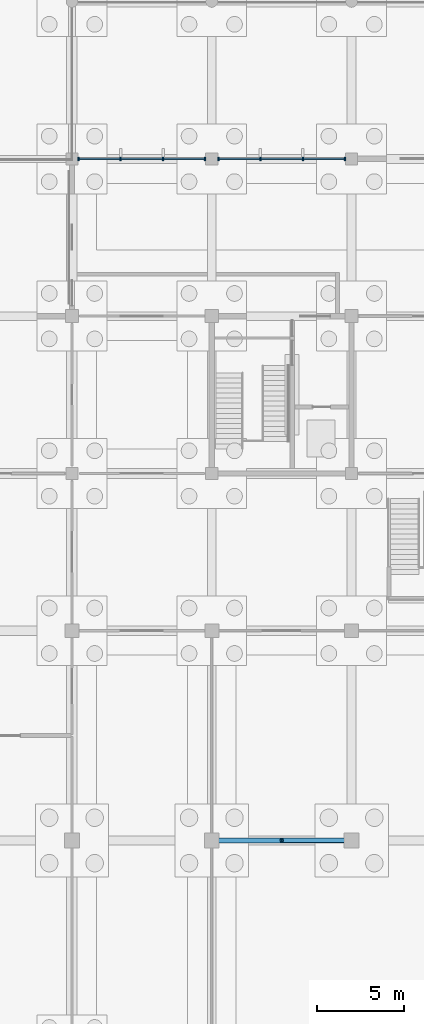
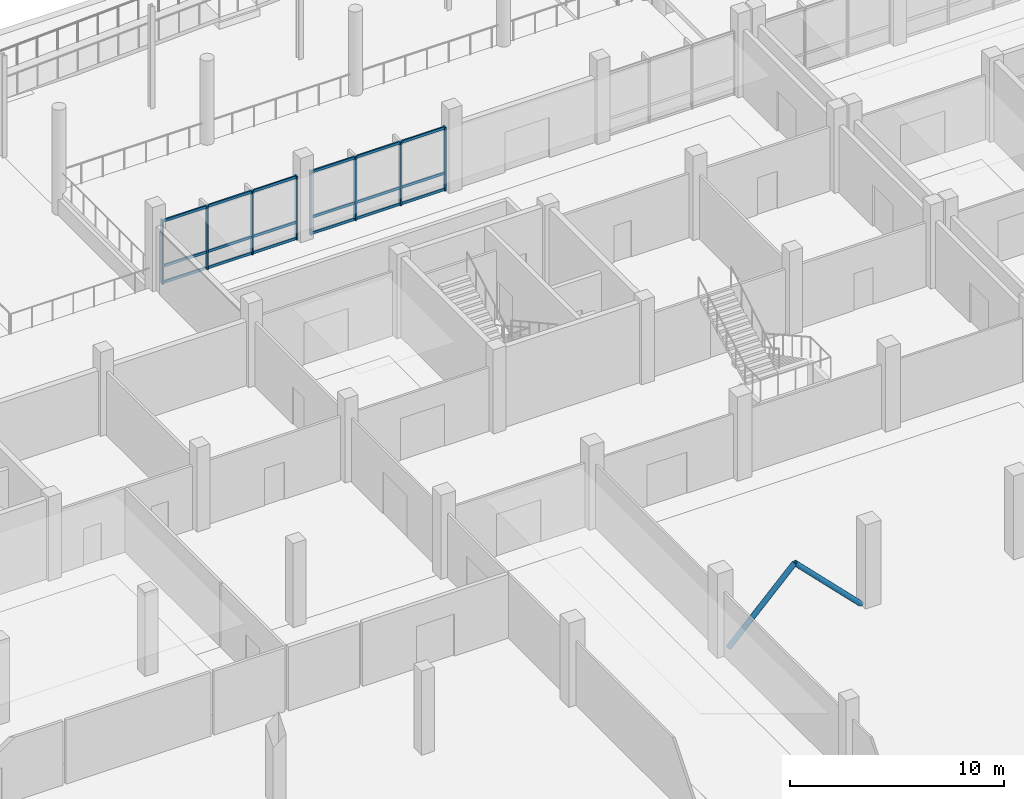
# One storey, part 24 of 72: 28 members, 2 elements without a shape of their own.
"""IFC4 building model written with IfcOpenShell, lengths in metres."""

from ifc_helpers import new_model, si_unit, direction, frame, origin, origin_2d, place, context, subcontext, project, spatial, rectangle, hollow_circle, extrude, material, material_profile, profile_set, type_object, element, aggregate, save


model = new_model("IFC4")

# Units and contexts
model_context = context("Model", 3, precision=1e-05, world=origin(), true_north=direction((0.0, 1.0)))
body_context = subcontext(model_context, "Body", "Model", "MODEL_VIEW")
ifc_project = project(units=[si_unit("LENGTHUNIT", "METRE"), si_unit("AREAUNIT", "SQUARE_METRE"), si_unit("VOLUMEUNIT", "CUBIC_METRE"), si_unit("PLANEANGLEUNIT", "RADIAN"), si_unit("MASSUNIT", "GRAM", prefix="KILO"), si_unit("THERMODYNAMICTEMPERATUREUNIT", "KELVIN"), si_unit("POWERUNIT", "WATT")], contexts=[model_context])

# Site, building, storey
site_placement = place(None, origin())
site = spatial("IfcSite", under=ifc_project, at=site_placement, CompositionType="ELEMENT")
building_placement = place(site_placement, origin())
building = spatial("IfcBuilding", under=site, at=building_placement, Name="Kronsvod Quay Wholesale Market", CompositionType="ELEMENT")
storey_placement = place(building_placement, origin())
storey = spatial("IfcBuildingStorey", under=building, at=storey_placement, Name="L00", CompositionType="ELEMENT", Elevation=0.0)

# Members
ifc_material_1 = material(Name="Steel S355", Category="steel")
ifc_material_profile_1 = material_profile(ifc_material_1, hollow_circle(Radius=0.136474609375, WallThickness=0.010009765625, at=origin_2d()), Name="CHS273x10")
ifc_profile_set_1 = profile_set([ifc_material_profile_1], Name="Steel S355")
member_type_1 = type_object("IfcMemberType", Name="Member_Brace273x10", PredefinedType="BRACE", material=ifc_profile_set_1)
for number, where, z_axis, x_axis, name in (
    (1, (40.4150390625, 78.0, 0.050048828125), (0.705639584744, 0.0, 0.708570939598), (0.0, 1.0, 0.0), "BRCG-L00-400-780-A"),
    (2, (47.5849609375, 78.0, 0.050048828125), (-0.705639584744, 0.0, 0.708570939598), (0.0, -1.0, 0.0), "BRCG-L00-400-780-B"),
):
    element("IfcMember", number, at=place(storey_placement, frame(where, z_axis=z_axis, x_axis=x_axis)), inside=storey, type_object=member_type_1, Name=name, PredefinedType="BRACE", context=body_context, shape_type="SweptSolid", body=[
        extrude(hollow_circle(Radius=0.136474609375, WallThickness=0.010009765625, at=origin_2d()), origin(), (0.0, 0.0, 1.0), 5.080322265625),
    ])

# Curtain wall, members
ifc_material_2 = material(Name="Thermally broken aluminium and triple low-E glazing", Category="aluminium")
curtain_wall_type = type_object("IfcCurtainWallType", Name="CW_Colonnade80x39", PredefinedType="NOTDEFINED", material=ifc_material_2)
curtain_wall_1_placement = place(storey_placement, origin())
curtain_wall_1 = element("IfcCurtainWall", 3, at=curtain_wall_1_placement, inside=storey, type_object=curtain_wall_type, Name="CWGX-L00-320-1170", PredefinedType="NOTDEFINED")
ifc_material_3 = material(Name="Anodised aluminium", Category="aluminium")
ifc_material_profile_2 = material_profile(ifc_material_3, rectangle(XDim=0.074951171875, YDim=0.199951171875, at=origin_2d()), Name="ALUM75x200")
ifc_profile_set_2 = profile_set([ifc_material_profile_2], Name="Anodised aluminium")
member_type_2 = type_object("IfcMemberType", Name="Mullion_ALU75x200", PredefinedType="MULLION", material=ifc_profile_set_2)
member_1_placement = place(storey_placement, frame((39.617431640625, 117.0, 0.0), z_axis=(0.0, 0.0, 1.0), x_axis=(1.0, 0.0, 0.0)))
member_1 = element("IfcMember", 4, at=member_1_placement, type_object=member_type_2, Name="CWGX-L00-320-1170-M1", PredefinedType="MULLION", context=body_context, shape_type="SweptSolid", body=[
    extrude(rectangle(XDim=0.074951171875, YDim=0.199951171875, at=origin_2d()), origin(), (0.0, 0.0, 1.0), 3.64990234375),
])
member_2_placement = place(storey_placement, frame((37.21826171875, 117.0, 0.0), z_axis=(0.0, 0.0, 1.0), x_axis=(1.0, 0.0, 0.0)))
member_2 = element("IfcMember", 5, at=member_2_placement, type_object=member_type_2, Name="CWGX-L00-320-1170-M2", PredefinedType="MULLION", context=body_context, shape_type="SweptSolid", body=[
    extrude(rectangle(XDim=0.074951171875, YDim=0.199951171875, at=origin_2d()), origin(), (0.0, 0.0, 1.0), 3.64990234375),
])
member_3_placement = place(storey_placement, frame((34.78173828125, 117.0, 0.0), z_axis=(0.0, 0.0, 1.0), x_axis=(1.0, 0.0, 0.0)))
member_3 = element("IfcMember", 6, at=member_3_placement, type_object=member_type_2, Name="CWGX-L00-320-1170-M3", PredefinedType="MULLION", context=body_context, shape_type="SweptSolid", body=[
    extrude(rectangle(XDim=0.074951171875, YDim=0.199951171875, at=origin_2d()), origin(), (0.0, 0.0, 1.0), 3.64990234375),
])
member_4_placement = place(storey_placement, frame((32.382568359375, 117.0, 0.0), z_axis=(0.0, 0.0, 1.0), x_axis=(1.0, 0.0, 0.0)))
member_4 = element("IfcMember", 7, at=member_4_placement, type_object=member_type_2, Name="CWGX-L00-320-1170-M4", PredefinedType="MULLION", context=body_context, shape_type="SweptSolid", body=[
    extrude(rectangle(XDim=0.074951171875, YDim=0.199951171875, at=origin_2d()), origin(), (0.0, 0.0, 1.0), 3.64990234375),
])

curtain_wall_2_placement = place(storey_placement, origin())
curtain_wall_2 = element("IfcCurtainWall", 8, at=curtain_wall_2_placement, inside=storey, type_object=curtain_wall_type, Name="CWGX-L00-400-1170", PredefinedType="NOTDEFINED")
member_5_placement = place(storey_placement, frame((47.617431640625, 117.0, 0.0), z_axis=(0.0, 0.0, 1.0), x_axis=(1.0, 0.0, 0.0)))
member_5 = element("IfcMember", 9, at=member_5_placement, type_object=member_type_2, Name="CWGX-L00-400-1170-M1", PredefinedType="MULLION", context=body_context, shape_type="SweptSolid", body=[
    extrude(rectangle(XDim=0.074951171875, YDim=0.199951171875, at=origin_2d()), origin(), (0.0, 0.0, 1.0), 3.64990234375),
])
member_6_placement = place(storey_placement, frame((45.21826171875, 117.0, 0.0), z_axis=(0.0, 0.0, 1.0), x_axis=(1.0, 0.0, 0.0)))
member_6 = element("IfcMember", 10, at=member_6_placement, type_object=member_type_2, Name="CWGX-L00-400-1170-M2", PredefinedType="MULLION", context=body_context, shape_type="SweptSolid", body=[
    extrude(rectangle(XDim=0.074951171875, YDim=0.199951171875, at=origin_2d()), origin(), (0.0, 0.0, 1.0), 3.64990234375),
])
member_7_placement = place(storey_placement, frame((42.78173828125, 117.0, 0.0), z_axis=(0.0, 0.0, 1.0), x_axis=(1.0, 0.0, 0.0)))
member_7 = element("IfcMember", 11, at=member_7_placement, type_object=member_type_2, Name="CWGX-L00-400-1170-M3", PredefinedType="MULLION", context=body_context, shape_type="SweptSolid", body=[
    extrude(rectangle(XDim=0.074951171875, YDim=0.199951171875, at=origin_2d()), origin(), (0.0, 0.0, 1.0), 3.64990234375),
])
member_8_placement = place(storey_placement, frame((40.382568359375, 117.0, 0.0), z_axis=(0.0, 0.0, 1.0), x_axis=(1.0, 0.0, 0.0)))
member_8 = element("IfcMember", 12, at=member_8_placement, type_object=member_type_2, Name="CWGX-L00-400-1170-M4", PredefinedType="MULLION", context=body_context, shape_type="SweptSolid", body=[
    extrude(rectangle(XDim=0.074951171875, YDim=0.199951171875, at=origin_2d()), origin(), (0.0, 0.0, 1.0), 3.64990234375),
])

# Member
ifc_material_4 = material(Name="Anodised aluminium", Category="aluminium")
ifc_material_profile_3 = material_profile(ifc_material_4, rectangle(XDim=0.074951171875, YDim=0.14990234375, at=origin_2d()), Name="ALUT75x150")
ifc_profile_set_3 = profile_set([ifc_material_profile_3], Name="Anodised aluminium")
member_type_3 = type_object("IfcMemberType", Name="Transom_ALU75x150", PredefinedType="USERDEFINED", material=ifc_profile_set_3)
member_9_placement = place(storey_placement, frame((39.580078125, 117.0, 0.074951171875), z_axis=(-1.0, 0.0, 0.0), x_axis=(0.0, -1.0, 0.0)))
member_9 = element("IfcMember", 13, at=member_9_placement, type_object=member_type_3, Name="CWGX-L00-320-1170-T1B1", ObjectType="TRANSOM", PredefinedType="USERDEFINED", context=body_context, shape_type="SweptSolid", body=[
    extrude(rectangle(XDim=0.074951171875, YDim=0.14990234375, at=origin_2d()), origin(), (0.0, 0.0, 1.0), 2.32421875),
])

member_10_placement = place(storey_placement, frame((37.180908203125, 117.0, 0.074951171875), z_axis=(-1.0, 0.0, 0.0), x_axis=(0.0, -1.0, 0.0)))
member_10 = element("IfcMember", 14, at=member_10_placement, type_object=member_type_3, Name="CWGX-L00-320-1170-T1B2", ObjectType="TRANSOM", PredefinedType="USERDEFINED", context=body_context, shape_type="SweptSolid", body=[
    extrude(rectangle(XDim=0.074951171875, YDim=0.14990234375, at=origin_2d()), origin(), (0.0, 0.0, 1.0), 2.36181640625),
])

member_11_placement = place(storey_placement, frame((34.744140625, 117.0, 0.074951171875), z_axis=(-1.0, 0.0, 0.0), x_axis=(0.0, -1.0, 0.0)))
member_11 = element("IfcMember", 15, at=member_11_placement, type_object=member_type_3, Name="CWGX-L00-320-1170-T1B3", ObjectType="TRANSOM", PredefinedType="USERDEFINED", context=body_context, shape_type="SweptSolid", body=[
    extrude(rectangle(XDim=0.074951171875, YDim=0.14990234375, at=origin_2d()), origin(), (0.0, 0.0, 1.0), 2.32421875),
])

member_12_placement = place(storey_placement, frame((39.580078125, 117.0, 1.0), z_axis=(-1.0, 0.0, 0.0), x_axis=(0.0, -1.0, 0.0)))
member_12 = element("IfcMember", 16, at=member_12_placement, type_object=member_type_3, Name="CWGX-L00-320-1170-T2B1", ObjectType="TRANSOM", PredefinedType="USERDEFINED", context=body_context, shape_type="SweptSolid", body=[
    extrude(rectangle(XDim=0.074951171875, YDim=0.14990234375, at=origin_2d()), origin(), (0.0, 0.0, 1.0), 2.32421875),
])

member_13_placement = place(storey_placement, frame((37.180908203125, 117.0, 1.0), z_axis=(-1.0, 0.0, 0.0), x_axis=(0.0, -1.0, 0.0)))
member_13 = element("IfcMember", 17, at=member_13_placement, type_object=member_type_3, Name="CWGX-L00-320-1170-T2B2", ObjectType="TRANSOM", PredefinedType="USERDEFINED", context=body_context, shape_type="SweptSolid", body=[
    extrude(rectangle(XDim=0.074951171875, YDim=0.14990234375, at=origin_2d()), origin(), (0.0, 0.0, 1.0), 2.36181640625),
])

member_14_placement = place(storey_placement, frame((34.744140625, 117.0, 1.0), z_axis=(-1.0, 0.0, 0.0), x_axis=(0.0, -1.0, 0.0)))
member_14 = element("IfcMember", 18, at=member_14_placement, type_object=member_type_3, Name="CWGX-L00-320-1170-T2B3", ObjectType="TRANSOM", PredefinedType="USERDEFINED", context=body_context, shape_type="SweptSolid", body=[
    extrude(rectangle(XDim=0.074951171875, YDim=0.14990234375, at=origin_2d()), origin(), (0.0, 0.0, 1.0), 2.32421875),
])

member_15_placement = place(storey_placement, frame((39.580078125, 117.0, 3.574951171875), z_axis=(-1.0, 0.0, 0.0), x_axis=(0.0, -1.0, 0.0)))
member_15 = element("IfcMember", 19, at=member_15_placement, type_object=member_type_3, Name="CWGX-L00-320-1170-T3B1", ObjectType="TRANSOM", PredefinedType="USERDEFINED", context=body_context, shape_type="SweptSolid", body=[
    extrude(rectangle(XDim=0.074951171875, YDim=0.14990234375, at=origin_2d()), origin(), (0.0, 0.0, 1.0), 2.32421875),
])

member_16_placement = place(storey_placement, frame((37.180908203125, 117.0, 3.574951171875), z_axis=(-1.0, 0.0, 0.0), x_axis=(0.0, -1.0, 0.0)))
member_16 = element("IfcMember", 20, at=member_16_placement, type_object=member_type_3, Name="CWGX-L00-320-1170-T3B2", ObjectType="TRANSOM", PredefinedType="USERDEFINED", context=body_context, shape_type="SweptSolid", body=[
    extrude(rectangle(XDim=0.074951171875, YDim=0.14990234375, at=origin_2d()), origin(), (0.0, 0.0, 1.0), 2.36181640625),
])

member_17_placement = place(storey_placement, frame((34.744140625, 117.0, 3.574951171875), z_axis=(-1.0, 0.0, 0.0), x_axis=(0.0, -1.0, 0.0)))
member_17 = element("IfcMember", 21, at=member_17_placement, type_object=member_type_3, Name="CWGX-L00-320-1170-T3B3", ObjectType="TRANSOM", PredefinedType="USERDEFINED", context=body_context, shape_type="SweptSolid", body=[
    extrude(rectangle(XDim=0.074951171875, YDim=0.14990234375, at=origin_2d()), origin(), (0.0, 0.0, 1.0), 2.32421875),
])

aggregate(curtain_wall_1, [member_1, member_2, member_3, member_4, member_9, member_10, member_11, member_12, member_13, member_14, member_15, member_16, member_17])

member_18_placement = place(storey_placement, frame((47.580078125, 117.0, 0.074951171875), z_axis=(-1.0, 0.0, 0.0), x_axis=(0.0, -1.0, 0.0)))
member_18 = element("IfcMember", 22, at=member_18_placement, type_object=member_type_3, Name="CWGX-L00-400-1170-T1B1", ObjectType="TRANSOM", PredefinedType="USERDEFINED", context=body_context, shape_type="SweptSolid", body=[
    extrude(rectangle(XDim=0.074951171875, YDim=0.14990234375, at=origin_2d()), origin(), (0.0, 0.0, 1.0), 2.32421875),
])

member_19_placement = place(storey_placement, frame((45.180908203125, 117.0, 0.074951171875), z_axis=(-1.0, 0.0, 0.0), x_axis=(0.0, -1.0, 0.0)))
member_19 = element("IfcMember", 23, at=member_19_placement, type_object=member_type_3, Name="CWGX-L00-400-1170-T1B2", ObjectType="TRANSOM", PredefinedType="USERDEFINED", context=body_context, shape_type="SweptSolid", body=[
    extrude(rectangle(XDim=0.074951171875, YDim=0.14990234375, at=origin_2d()), origin(), (0.0, 0.0, 1.0), 2.36181640625),
])

member_20_placement = place(storey_placement, frame((42.744140625, 117.0, 0.074951171875), z_axis=(-1.0, 0.0, 0.0), x_axis=(0.0, -1.0, 0.0)))
member_20 = element("IfcMember", 24, at=member_20_placement, type_object=member_type_3, Name="CWGX-L00-400-1170-T1B3", ObjectType="TRANSOM", PredefinedType="USERDEFINED", context=body_context, shape_type="SweptSolid", body=[
    extrude(rectangle(XDim=0.074951171875, YDim=0.14990234375, at=origin_2d()), origin(), (0.0, 0.0, 1.0), 2.32421875),
])

member_21_placement = place(storey_placement, frame((47.580078125, 117.0, 1.0), z_axis=(-1.0, 0.0, 0.0), x_axis=(0.0, -1.0, 0.0)))
member_21 = element("IfcMember", 25, at=member_21_placement, type_object=member_type_3, Name="CWGX-L00-400-1170-T2B1", ObjectType="TRANSOM", PredefinedType="USERDEFINED", context=body_context, shape_type="SweptSolid", body=[
    extrude(rectangle(XDim=0.074951171875, YDim=0.14990234375, at=origin_2d()), origin(), (0.0, 0.0, 1.0), 2.32421875),
])

member_22_placement = place(storey_placement, frame((45.180908203125, 117.0, 1.0), z_axis=(-1.0, 0.0, 0.0), x_axis=(0.0, -1.0, 0.0)))
member_22 = element("IfcMember", 26, at=member_22_placement, type_object=member_type_3, Name="CWGX-L00-400-1170-T2B2", ObjectType="TRANSOM", PredefinedType="USERDEFINED", context=body_context, shape_type="SweptSolid", body=[
    extrude(rectangle(XDim=0.074951171875, YDim=0.14990234375, at=origin_2d()), origin(), (0.0, 0.0, 1.0), 2.36181640625),
])

member_23_placement = place(storey_placement, frame((42.744140625, 117.0, 1.0), z_axis=(-1.0, 0.0, 0.0), x_axis=(0.0, -1.0, 0.0)))
member_23 = element("IfcMember", 27, at=member_23_placement, type_object=member_type_3, Name="CWGX-L00-400-1170-T2B3", ObjectType="TRANSOM", PredefinedType="USERDEFINED", context=body_context, shape_type="SweptSolid", body=[
    extrude(rectangle(XDim=0.074951171875, YDim=0.14990234375, at=origin_2d()), origin(), (0.0, 0.0, 1.0), 2.32421875),
])

member_24_placement = place(storey_placement, frame((47.580078125, 117.0, 3.574951171875), z_axis=(-1.0, 0.0, 0.0), x_axis=(0.0, -1.0, 0.0)))
member_24 = element("IfcMember", 28, at=member_24_placement, type_object=member_type_3, Name="CWGX-L00-400-1170-T3B1", ObjectType="TRANSOM", PredefinedType="USERDEFINED", context=body_context, shape_type="SweptSolid", body=[
    extrude(rectangle(XDim=0.074951171875, YDim=0.14990234375, at=origin_2d()), origin(), (0.0, 0.0, 1.0), 2.32421875),
])

member_25_placement = place(storey_placement, frame((45.180908203125, 117.0, 3.574951171875), z_axis=(-1.0, 0.0, 0.0), x_axis=(0.0, -1.0, 0.0)))
member_25 = element("IfcMember", 29, at=member_25_placement, type_object=member_type_3, Name="CWGX-L00-400-1170-T3B2", ObjectType="TRANSOM", PredefinedType="USERDEFINED", context=body_context, shape_type="SweptSolid", body=[
    extrude(rectangle(XDim=0.074951171875, YDim=0.14990234375, at=origin_2d()), origin(), (0.0, 0.0, 1.0), 2.36181640625),
])

member_26_placement = place(storey_placement, frame((42.744140625, 117.0, 3.574951171875), z_axis=(-1.0, 0.0, 0.0), x_axis=(0.0, -1.0, 0.0)))
member_26 = element("IfcMember", 30, at=member_26_placement, type_object=member_type_3, Name="CWGX-L00-400-1170-T3B3", ObjectType="TRANSOM", PredefinedType="USERDEFINED", context=body_context, shape_type="SweptSolid", body=[
    extrude(rectangle(XDim=0.074951171875, YDim=0.14990234375, at=origin_2d()), origin(), (0.0, 0.0, 1.0), 2.32421875),
])

aggregate(curtain_wall_2, [member_5, member_6, member_7, member_8, member_18, member_19, member_20, member_21, member_22, member_23, member_24, member_25, member_26])

save(model, "model.ifc")
